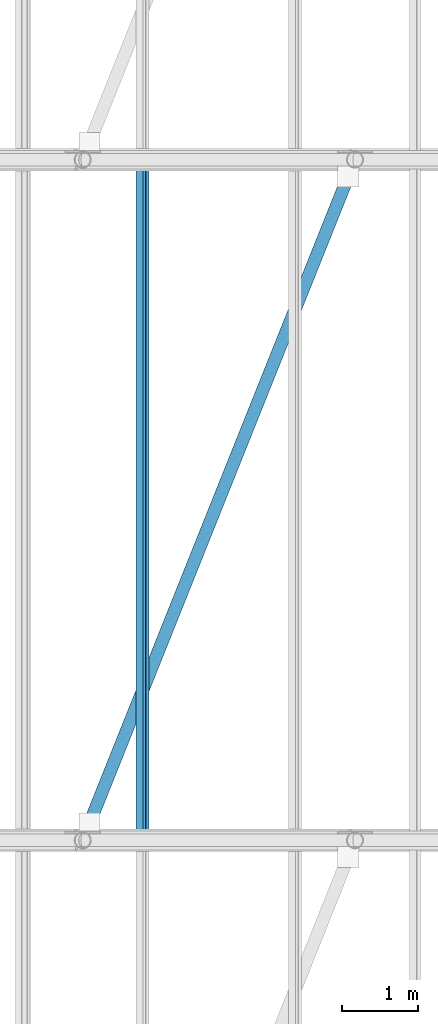
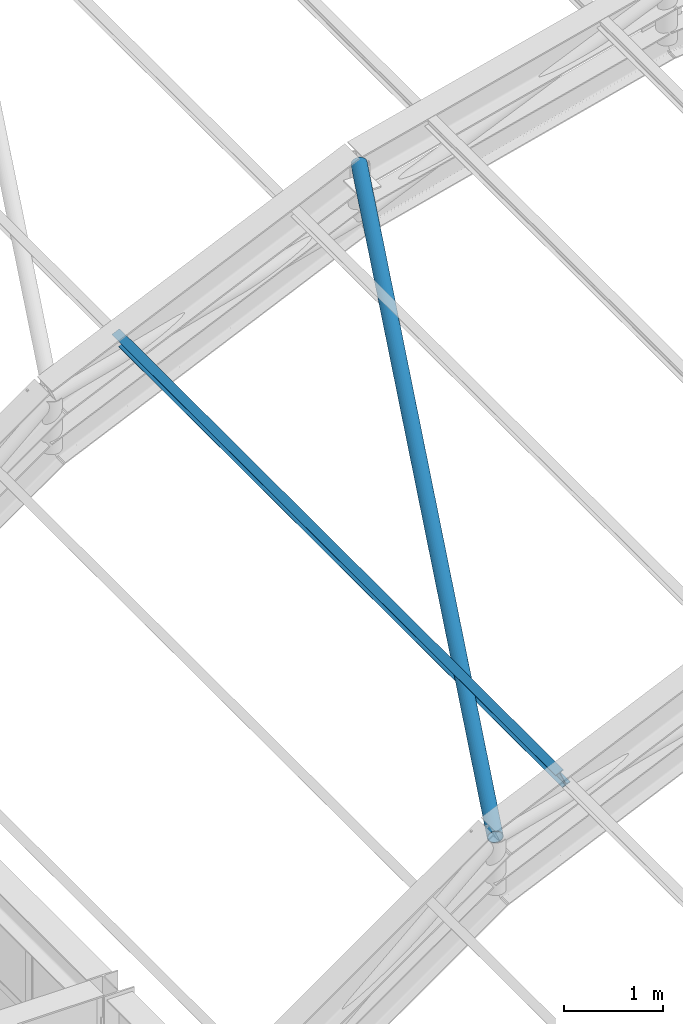
# One storey, part 70 of 121: 2 members.
"""IFC4 building model written with IfcOpenShell, lengths in metres."""

from ifc_helpers import new_model, si_unit, direction, frame, origin, origin_2d, place, context, subcontext, project, spatial, hollow_circle, i_section, extrude, material, material_profile, profile_set, type_object, element, save


model = new_model("IFC4")

# Units and contexts
model_context = context("Model", 3, precision=1e-05, world=origin(), true_north=direction((0.0, 1.0)))
body_context = subcontext(model_context, "Body", "Model", "MODEL_VIEW")
ifc_project = project(units=[si_unit("LENGTHUNIT", "METRE"), si_unit("AREAUNIT", "SQUARE_METRE"), si_unit("VOLUMEUNIT", "CUBIC_METRE"), si_unit("PLANEANGLEUNIT", "RADIAN"), si_unit("MASSUNIT", "GRAM", prefix="KILO")], contexts=[model_context])

# Site, building, storey
site_placement = place(None, origin())
site = spatial("IfcSite", under=ifc_project, at=site_placement, CompositionType="ELEMENT")
building_placement = place(site_placement, origin())
building = spatial("IfcBuilding", under=site, at=building_placement, Name="Canglan Escarpment Cableway Terminal", CompositionType="ELEMENT")
storey_placement = place(building_placement, frame((0.0, 0.0, 24.60009765625)))
storey = spatial("IfcBuildingStorey", under=building, at=storey_placement, Name="L05", CompositionType="ELEMENT", Elevation=24.60009765625)

# Members
ifc_material = material(Name="Steel Q355B", Category="steel")
ifc_material_profile_1 = material_profile(ifc_material, hollow_circle(Radius=0.084228515625, WallThickness=0.006103515625, at=origin_2d()), Name="CHS 168.3x6")
ifc_profile_set_1 = profile_set([ifc_material_profile_1], Name="Steel Q355B")
member_type_1 = type_object("IfcMemberType", Name="MB-ROOF-BR-CHS168", PredefinedType="BRACE", material=ifc_profile_set_1)
member_1_placement = place(storey_placement, frame((141.199951171875, 106.0, 5.616455078125), z_axis=(0.366307573698, 0.915744093096, 0.165019748547), x_axis=(-0.928473216852, 0.37139936132, 0.0)))
element("IfcMember", 1, at=member_1_placement, inside=storey, type_object=member_type_1, Name="Vault roof plane wind brace BR-03", PredefinedType="BRACE", context=body_context, shape_type="SweptSolid", body=[
    extrude(hollow_circle(Radius=0.084228515625, WallThickness=0.006103515625, at=origin_2d()), origin(), (0.0, 0.0, 1.0), 9.828125),
])
ifc_material_profile_2 = material_profile(ifc_material, i_section(OverallWidth=0.10009765625, OverallDepth=0.199951171875, WebThickness=0.005615234375, FlangeThickness=0.008056640625, FilletRadius=0.010986328125, at=origin_2d()), Name="HN 200x100x5.5x8")
ifc_profile_set_2 = profile_set([ifc_material_profile_2], Name="Steel Q355B")
member_type_2 = type_object("IfcMemberType", Name="MB-VAULT-PUR-HN200", PredefinedType="PURLIN", material=ifc_profile_set_2)
member_2_placement = place(storey_placement, frame((141.991943359375, 106.0, 6.059814453125), z_axis=(0.0, 1.0, 0.0), x_axis=(-0.911740537138, 0.0, -0.410766591799)))
element("IfcMember", 2, at=member_2_placement, inside=storey, type_object=member_type_2, Name="Barrel-vault roof purlin PR-01", PredefinedType="PURLIN", context=body_context, shape_type="SweptSolid", body=[
    extrude(i_section(OverallWidth=0.10009765625, OverallDepth=0.199951171875, WebThickness=0.005615234375, FlangeThickness=0.008056640625, FilletRadius=0.010986328125, at=origin_2d()), origin(), (0.0, 0.0, 1.0), 9.0),
])

save(model, "model.ifc")
